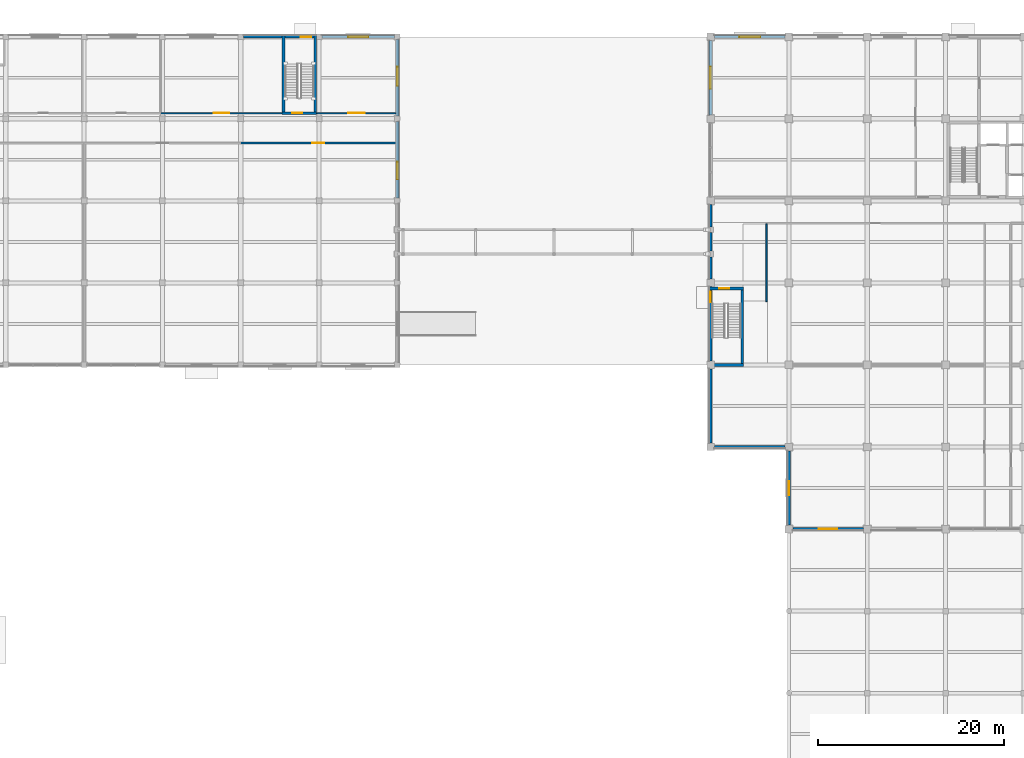
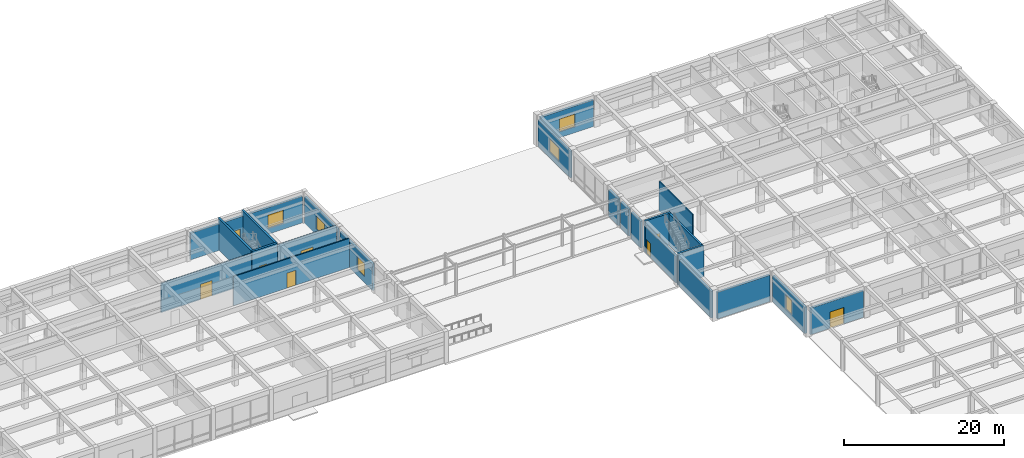
# One storey, part 37 of 58: 24 walls, 8 doors, 6 windows, 14 openings.
"""IFC4 building model written with IfcOpenShell, lengths in metres."""

from ifc_helpers import new_model, si_unit, direction, frame, frame_2d, origin, place, context, subcontext, project, spatial, rectangle, extrude, material, layer, layer_set, type_object, element, fill, save


model = new_model("IFC4")

# Units and contexts
model_context = context("Model", 3, precision=1e-05, world=origin(), true_north=direction((0.0, 1.0)))
body_context = subcontext(model_context, "Body", "Model", "MODEL_VIEW")
ifc_project = project(units=[si_unit("LENGTHUNIT", "METRE"), si_unit("AREAUNIT", "SQUARE_METRE"), si_unit("VOLUMEUNIT", "CUBIC_METRE"), si_unit("PLANEANGLEUNIT", "RADIAN"), si_unit("MASSUNIT", "GRAM", prefix="KILO")], contexts=[model_context])

# Site, building, storey
site_placement = place(None, origin())
site = spatial("IfcSite", under=ifc_project, at=site_placement, CompositionType="ELEMENT")
building_placement = place(site_placement, origin())
building = spatial("IfcBuilding", under=site, at=building_placement, Name="Kemercrest Conservatory and Botanical Centre", CompositionType="ELEMENT")
storey_placement = place(building_placement, origin())
storey = spatial("IfcBuildingStorey", under=building, at=storey_placement, Name="L00", CompositionType="ELEMENT", Elevation=0.0)

# Wall, opening, door
ifc_material_1 = material(Name="Precast concrete C40/50", Category="concrete")
ifc_layer_1 = layer(ifc_material_1, 0.300048828125)
ifc_layer_set_1 = layer_set([ifc_layer_1], Name="Precast concrete C40/50")
wall_type_1 = type_object("IfcWallType", Name="CW-EXT300", PredefinedType="SHEAR", material=ifc_layer_set_1)
wall_1_placement = place(storey_placement, frame((83.2900390625, 122.39990234375, 0.0), z_axis=(0.0, 0.0, 1.0), x_axis=(-1.0, 0.0, 0.0)))
wall_1 = element("IfcWall", 1, at=wall_1_placement, inside=storey, type_object=wall_type_1, Name="Exterior stair-core shear wall CW-EXT300 (WAL:L00:EXT-083)", PredefinedType="SHEAR", context=body_context, shape_type="SweptSolid", body=[
    extrude(rectangle(XDim=7.780029296875, YDim=0.300048828125, at=frame_2d((3.89013671875, 0.0))), origin(), (0.0, 0.0, 1.0), 4.050048828125),
])
opening_1_placement = place(wall_1_placement, frame((0.550048828125, 0.0, 0.0)))
opening_1 = element("IfcOpeningElement", 2, at=opening_1_placement, cuts=wall_1, Name="Opening ED027", PredefinedType="OPENING", context=body_context, shape_type="SweptSolid", body=[
    extrude(rectangle(XDim=1.10009765625, YDim=2.199951171875, at=frame_2d((0.550048828125, 1.10009765625))), frame((0.0, 0.16015625, 0.0), z_axis=(0.0, -1.0, 0.0), x_axis=(1.0, 0.0, 0.0)), (0.0, 0.0, 1.0), 0.320068359375),
])
ifc_material_2 = material(Name="Thermally broken bronze-anodized aluminium and laminated safety glass", Category="aluminium")
door_type_1 = type_object("IfcDoorType", Name="DT-E03", OperationType="NOTDEFINED", PredefinedType="DOOR", material=ifc_material_2)
door_1_placement = place(opening_1_placement, frame((1.10009765625, 0.0, 0.0), z_axis=(0.0, 0.0, 1.0), x_axis=(-1.0, 0.0, 0.0)))
door_1 = element("IfcDoor", 3, at=door_1_placement, inside=storey, type_object=door_type_1, Name="Exit Stair ST-V3B North Discharge Door", OperationType="SINGLE_SWING_RIGHT", OverallHeight=2.199951171875, OverallWidth=1.10009765625, PredefinedType="DOOR", context=body_context, shape_type="SweptSolid", body=[
    extrude(rectangle(XDim=1.10009765625, YDim=2.199951171875, at=frame_2d((0.550048828125, 1.10009765625))), frame((0.0, 0.02490234375, 0.0), z_axis=(0.0, -1.0, 0.0), x_axis=(1.0, 0.0, 0.0)), (0.0, 0.0, 1.0), 0.050048828125),
])
fill(opening_1, door_1)

wall_2_placement = place(storey_placement, frame((125.60009765625, 95.590087890625, 0.0), z_axis=(0.0, 0.0, 1.0), x_axis=(0.0, -1.0, 0.0)))
wall_2 = element("IfcWall", 4, at=wall_2_placement, inside=storey, type_object=wall_type_1, Name="Exterior stair-core shear wall CW-EXT300 (WAL:L00:EXT-172)", PredefinedType="SHEAR", context=body_context, shape_type="SweptSolid", body=[
    extrude(rectangle(XDim=7.97998046875, YDim=0.300048828125, at=frame_2d((3.989990234375, 0.0))), origin(), (0.0, 0.0, 1.0), 4.050048828125),
])
opening_2_placement = place(wall_2_placement, frame((0.550048828125, 0.0, 0.0)))
opening_2 = element("IfcOpeningElement", 5, at=opening_2_placement, cuts=wall_2, Name="Opening ED039", PredefinedType="OPENING", context=body_context, shape_type="SweptSolid", body=[
    extrude(rectangle(XDim=1.10009765625, YDim=2.199951171875, at=frame_2d((0.550048828125, 1.10009765625))), frame((0.0, 0.16015625, 0.0), z_axis=(0.0, -1.0, 0.0), x_axis=(1.0, 0.0, 0.0)), (0.0, 0.0, 1.0), 0.320068359375),
])
door_2_placement = place(opening_2_placement, frame((1.10009765625, 0.0, 0.0), z_axis=(0.0, 0.0, 1.0), x_axis=(-1.0, 0.0, 0.0)))
door_2 = element("IfcDoor", 6, at=door_2_placement, inside=storey, type_object=door_type_1, Name="Exit Stair ST-V4C Exterior Discharge Door", OperationType="SINGLE_SWING_RIGHT", OverallHeight=2.199951171875, OverallWidth=1.10009765625, PredefinedType="DOOR", context=body_context, shape_type="SweptSolid", body=[
    extrude(rectangle(XDim=1.10009765625, YDim=2.199951171875, at=frame_2d((0.550048828125, 1.10009765625))), frame((0.0, 0.02490234375, 0.0), z_axis=(0.0, -1.0, 0.0), x_axis=(1.0, 0.0, 0.0)), (0.0, 0.0, 1.0), 0.050048828125),
])
fill(opening_2, door_2)

# Walls
wall_3_placement = place(storey_placement, frame((125.60009765625, 86.7900390625, 0.0), z_axis=(0.0, 0.0, 1.0), x_axis=(0.0, -1.0, 0.0)))
element("IfcWall", 7, at=wall_3_placement, inside=storey, type_object=wall_type_1, Name="Exterior stair-core shear wall CW-EXT300 (WAL:L00:EXT-173)", PredefinedType="SHEAR", context=body_context, shape_type="SweptSolid", body=[
    extrude(rectangle(XDim=7.97998046875, YDim=0.300048828125, at=frame_2d((3.989990234375, 0.0))), origin(), (0.0, 0.0, 1.0), 4.050048828125),
])
wall_4_placement = place(storey_placement, frame((126.010009765625, 78.39990234375, 0.0), z_axis=(0.0, 0.0, 1.0), x_axis=(1.0, 0.0, 0.0)))
element("IfcWall", 8, at=wall_4_placement, inside=storey, type_object=wall_type_1, Name="Exterior stair-core shear wall CW-EXT300 (WAL:L00:EXT-174)", PredefinedType="SHEAR", context=body_context, shape_type="SweptSolid", body=[
    extrude(rectangle(XDim=7.580078125, YDim=0.300048828125, at=frame_2d((3.7900390625, 0.0))), origin(), (0.0, 0.0, 1.0), 4.050048828125),
])

# Wall, opening, door
ifc_material_3 = material(Name="Concrete C50/60", Category="concrete")
ifc_layer_2 = layer(ifc_material_3, 0.300048828125)
ifc_layer_set_2 = layer_set([ifc_layer_2], Name="Concrete C50/60")
wall_type_2 = type_object("IfcWallType", Name="CW-STAIR", PredefinedType="SHEAR", material=ifc_layer_set_2)
wall_5_placement = place(storey_placement, frame((79.64990234375, 114.199951171875, 0.0), z_axis=(0.0, 0.0, 1.0), x_axis=(1.0, 0.0, 0.0)))
wall_5 = element("IfcWall", 9, at=wall_5_placement, inside=storey, type_object=wall_type_2, Name="Stair core ST-V3B shear wall S", PredefinedType="SHEAR", context=body_context, shape_type="SweptSolid", body=[
    extrude(rectangle(XDim=3.7001953125, YDim=0.300048828125, at=frame_2d((1.85009765625, 0.0))), origin(), (0.0, 0.0, 1.0), 4.800048828125),
])
opening_3_placement = place(wall_5_placement, frame((1.050048828125, 0.0, 0.0)))
opening_3 = element("IfcOpeningElement", 10, at=opening_3_placement, cuts=wall_5, Name="Opening D021", PredefinedType="OPENING", context=body_context, shape_type="SweptSolid", body=[
    extrude(rectangle(XDim=1.10009765625, YDim=2.199951171875, at=frame_2d((0.550048828125, 1.10009765625))), frame((0.0, 0.16015625, 0.0), z_axis=(0.0, -1.0, 0.0), x_axis=(1.0, 0.0, 0.0)), (0.0, 0.0, 1.0), 0.320068359375),
])
ifc_material_4 = material(Name="Powder-coated galvanized steel and fire-rated vision glass", Category="steel")
door_type_2 = type_object("IfcDoorType", Name="DT-FD90", OperationType="NOTDEFINED", PredefinedType="DOOR", material=ifc_material_4)
door_3_placement = place(opening_3_placement, origin())
door_3 = element("IfcDoor", 11, at=door_3_placement, inside=storey, type_object=door_type_2, Name="Exit stair ST-V3B fire door D021", OperationType="SINGLE_SWING_LEFT", OverallHeight=2.199951171875, OverallWidth=1.10009765625, PredefinedType="DOOR", context=body_context, shape_type="SweptSolid", body=[
    extrude(rectangle(XDim=1.10009765625, YDim=2.199951171875, at=frame_2d((0.550048828125, 1.10009765625))), frame((0.0, 0.02490234375, 0.0), z_axis=(0.0, -1.0, 0.0), x_axis=(1.0, 0.0, 0.0)), (0.0, 0.0, 1.0), 0.050048828125),
])
fill(opening_3, door_3)

# Walls
for number, where, z_axis, x_axis, name in (
    (12, (79.800048828125, 114.050048828125, 0.0), (0.0, 0.0, 1.0), (0.0, 1.0, 0.0), "Stair core ST-V3B shear wall W"),
    (13, (83.199951171875, 114.050048828125, 0.0), (0.0, 0.0, 1.0), (0.0, 1.0, 0.0), "Stair core ST-V3B shear wall E"),
):
    element("IfcWall", number, at=place(storey_placement, frame(where, z_axis=z_axis, x_axis=x_axis)), inside=storey, type_object=wall_type_2, Name=name, PredefinedType="SHEAR", context=body_context, shape_type="SweptSolid", body=[
        extrude(rectangle(XDim=8.5, YDim=0.300048828125, at=frame_2d((4.25, 0.0))), origin(), (0.0, 0.0, 1.0), 4.800048828125),
    ])
wall_6_placement = place(storey_placement, frame((125.449951171875, 87.199951171875, 0.0), z_axis=(0.0, 0.0, 1.0), x_axis=(1.0, 0.0, 0.0)))
element("IfcWall", 14, at=wall_6_placement, inside=storey, type_object=wall_type_2, Name="Stair core ST-V4C shear wall S", PredefinedType="SHEAR", context=body_context, shape_type="SweptSolid", body=[
    extrude(rectangle(XDim=3.699951171875, YDim=0.300048828125, at=frame_2d((1.85009765625, 0.0))), origin(), (0.0, 0.0, 1.0), 4.800048828125),
])

# Wall, opening, door
wall_7_placement = place(storey_placement, frame((125.449951171875, 95.39990234375, 0.0), z_axis=(0.0, 0.0, 1.0), x_axis=(1.0, 0.0, 0.0)))
wall_7 = element("IfcWall", 15, at=wall_7_placement, inside=storey, type_object=wall_type_2, Name="Stair core ST-V4C shear wall N", PredefinedType="SHEAR", context=body_context, shape_type="SweptSolid", body=[
    extrude(rectangle(XDim=3.699951171875, YDim=0.300048828125, at=frame_2d((1.85009765625, 0.0))), origin(), (0.0, 0.0, 1.0), 4.800048828125),
])
opening_4_placement = place(wall_7_placement, frame((1.050048828125, 0.0, 0.0)))
opening_4 = element("IfcOpeningElement", 16, at=opening_4_placement, cuts=wall_7, Name="Opening D064", PredefinedType="OPENING", context=body_context, shape_type="SweptSolid", body=[
    extrude(rectangle(XDim=1.10009765625, YDim=2.199951171875, at=frame_2d((0.550048828125, 1.10009765625))), frame((0.0, 0.16015625, 0.0), z_axis=(0.0, -1.0, 0.0), x_axis=(1.0, 0.0, 0.0)), (0.0, 0.0, 1.0), 0.320068359375),
])
door_4_placement = place(opening_4_placement, origin())
door_4 = element("IfcDoor", 17, at=door_4_placement, inside=storey, type_object=door_type_2, Name="Exit stair ST-V4C fire door D064", OperationType="SINGLE_SWING_RIGHT", OverallHeight=2.199951171875, OverallWidth=1.10009765625, PredefinedType="DOOR", context=body_context, shape_type="SweptSolid", body=[
    extrude(rectangle(XDim=1.10009765625, YDim=2.199951171875, at=frame_2d((0.550048828125, 1.10009765625))), frame((0.0, 0.02490234375, 0.0), z_axis=(0.0, -1.0, 0.0), x_axis=(1.0, 0.0, 0.0)), (0.0, 0.0, 1.0), 0.050048828125),
])
fill(opening_4, door_4)

# Wall
wall_8_placement = place(storey_placement, frame((129.0, 87.050048828125, 0.0), z_axis=(0.0, 0.0, 1.0), x_axis=(0.0, 1.0, 0.0)))
element("IfcWall", 18, at=wall_8_placement, inside=storey, type_object=wall_type_2, Name="Stair core ST-V4C shear wall E", PredefinedType="SHEAR", context=body_context, shape_type="SweptSolid", body=[
    extrude(rectangle(XDim=8.5, YDim=0.300048828125, at=frame_2d((4.25, 0.0))), origin(), (0.0, 0.0, 1.0), 4.800048828125),
])

# Wall, opening, window
ifc_layer_3 = layer(ifc_material_1, 0.300048828125)
ifc_layer_set_3 = layer_set([ifc_layer_3], Name="Precast concrete C40/50")
wall_type_3 = type_object("IfcWallType", Name="W-EXT300", PredefinedType="SOLIDWALL", material=ifc_layer_set_3)
wall_9_placement = place(storey_placement, frame((92.0, 105.110107421875, 0.0), z_axis=(0.0, 0.0, 1.0), x_axis=(0.0, 1.0, 0.0)))
wall_9 = element("IfcWall", 19, at=wall_9_placement, inside=storey, type_object=wall_type_3, Name="Exterior almasik wall W-EXT300 (WAL:L00:EXT-080)", PredefinedType="SOLIDWALL", context=body_context, shape_type="SweptSolid", body=[
    extrude(rectangle(XDim=8.179931640625, YDim=0.300048828125, at=frame_2d((4.08984375, 0.0))), origin(), (0.0, 0.0, 1.0), 4.050048828125),
])
opening_5_placement = place(wall_9_placement, frame((2.0048828125, 0.0, 0.89990234375)))
opening_5 = element("IfcOpeningElement", 20, at=opening_5_placement, cuts=wall_9, Name="Opening WT-33", PredefinedType="OPENING", context=body_context, shape_type="SweptSolid", body=[
    extrude(rectangle(XDim=1.8798828125, YDim=1.9599609375, at=frame_2d((0.93994140625, 0.97998046875))), frame((0.0, 0.16015625, 0.0), z_axis=(0.0, -1.0, 0.0), x_axis=(1.0, 0.0, 0.0)), (0.0, 0.0, 1.0), 0.320068359375),
])
ifc_material_5 = material(Name="Thermally broken bronze-anodized aluminium and triple glazing", Category="aluminium")
window_type_1 = type_object("IfcWindowType", Name="WT-33", PartitioningType="SINGLE_PANEL", PredefinedType="WINDOW", material=ifc_material_5)
window_1_placement = place(opening_5_placement, origin())
window_1 = element("IfcWindow", 21, at=window_1_placement, inside=storey, type_object=window_type_1, Name="Exterior window WT-33 (WIN:L00:EXT-080)", OverallHeight=1.9599609375, OverallWidth=1.8798828125, PartitioningType="SINGLE_PANEL", PredefinedType="WINDOW", context=body_context, shape_type="SweptSolid", body=[
    extrude(rectangle(XDim=1.8798828125, YDim=1.9599609375, at=frame_2d((0.93994140625, 0.97998046875))), frame((0.0, 0.030029296875, 0.0), z_axis=(0.0, -1.0, 0.0), x_axis=(1.0, 0.0, 0.0)), (0.0, 0.0, 1.0), 0.06005859375),
])
fill(opening_5, window_1)

wall_10_placement = place(storey_placement, frame((92.0, 113.909912109375, 0.0), z_axis=(0.0, 0.0, 1.0), x_axis=(0.0, 1.0, 0.0)))
wall_10 = element("IfcWall", 22, at=wall_10_placement, inside=storey, type_object=wall_type_3, Name="Exterior almasik wall W-EXT300 (WAL:L00:EXT-081)", PredefinedType="SOLIDWALL", context=body_context, shape_type="SweptSolid", body=[
    extrude(rectangle(XDim=8.18017578125, YDim=0.300048828125, at=frame_2d((4.090087890625, 0.0))), origin(), (0.0, 0.0, 1.0), 4.050048828125),
])
opening_6_placement = place(wall_10_placement, frame((3.215087890625, 0.0, 0.89990234375)))
opening_6 = element("IfcOpeningElement", 23, at=opening_6_placement, cuts=wall_10, Name="Opening WT-34", PredefinedType="OPENING", context=body_context, shape_type="SweptSolid", body=[
    extrude(rectangle(XDim=2.0400390625, YDim=1.97998046875, at=frame_2d((1.02001953125, 0.989990234375))), frame((0.0, 0.16015625, 0.0), z_axis=(0.0, -1.0, 0.0), x_axis=(1.0, 0.0, 0.0)), (0.0, 0.0, 1.0), 0.320068359375),
])
window_type_2 = type_object("IfcWindowType", Name="WT-34", PartitioningType="SINGLE_PANEL", PredefinedType="WINDOW", material=ifc_material_5)
window_2_placement = place(opening_6_placement, origin())
window_2 = element("IfcWindow", 24, at=window_2_placement, inside=storey, type_object=window_type_2, Name="Exterior window WT-34 (WIN:L00:EXT-081)", OverallHeight=1.97998046875, OverallWidth=2.0400390625, PartitioningType="SINGLE_PANEL", PredefinedType="WINDOW", context=body_context, shape_type="SweptSolid", body=[
    extrude(rectangle(XDim=2.0400390625, YDim=1.97998046875, at=frame_2d((1.02001953125, 0.989990234375))), frame((0.0, 0.030029296875, 0.0), z_axis=(0.0, -1.0, 0.0), x_axis=(1.0, 0.0, 0.0)), (0.0, 0.0, 1.0), 0.06005859375),
])
fill(opening_6, window_2)

wall_11_placement = place(storey_placement, frame((91.68994140625, 122.39990234375, 0.0), z_axis=(0.0, 0.0, 1.0), x_axis=(-1.0, 0.0, 0.0)))
wall_11 = element("IfcWall", 25, at=wall_11_placement, inside=storey, type_object=wall_type_3, Name="Exterior almasik wall W-EXT300 (WAL:L00:EXT-082)", PredefinedType="SOLIDWALL", context=body_context, shape_type="SweptSolid", body=[
    extrude(rectangle(XDim=7.780029296875, YDim=0.300048828125, at=frame_2d((3.89013671875, 0.0))), origin(), (0.0, 0.0, 1.0), 4.050048828125),
])
opening_7_placement = place(wall_11_placement, frame((2.800048828125, 0.0, 0.89990234375)))
opening_7 = element("IfcOpeningElement", 26, at=opening_7_placement, cuts=wall_11, Name="Opening WT-35", PredefinedType="OPENING", context=body_context, shape_type="SweptSolid", body=[
    extrude(rectangle(XDim=2.179931640625, YDim=2.02001953125, at=frame_2d((1.08984375, 1.010009765625))), frame((0.0, 0.16015625, 0.0), z_axis=(0.0, -1.0, 0.0), x_axis=(1.0, 0.0, 0.0)), (0.0, 0.0, 1.0), 0.320068359375),
])
window_type_3 = type_object("IfcWindowType", Name="WT-35", PartitioningType="SINGLE_PANEL", PredefinedType="WINDOW", material=ifc_material_5)
window_3_placement = place(opening_7_placement, origin())
window_3 = element("IfcWindow", 27, at=window_3_placement, inside=storey, type_object=window_type_3, Name="Exterior window WT-35 (WIN:L00:EXT-082)", OverallHeight=2.02001953125, OverallWidth=2.179931640625, PartitioningType="SINGLE_PANEL", PredefinedType="WINDOW", context=body_context, shape_type="SweptSolid", body=[
    extrude(rectangle(XDim=2.179931640625, YDim=2.02001953125, at=frame_2d((1.08984375, 1.010009765625))), frame((0.0, 0.030029296875, 0.0), z_axis=(0.0, -1.0, 0.0), x_axis=(1.0, 0.0, 0.0)), (0.0, 0.0, 1.0), 0.06005859375),
])
fill(opening_7, window_3)

# Wall, opening, door
wall_12_placement = place(storey_placement, frame((134.409912109375, 69.60009765625, 0.0), z_axis=(0.0, 0.0, 1.0), x_axis=(1.0, 0.0, 0.0)))
wall_12 = element("IfcWall", 28, at=wall_12_placement, inside=storey, type_object=wall_type_3, Name="Exterior almasik wall W-EXT300 (WAL:L00:EXT-158)", PredefinedType="SOLIDWALL", context=body_context, shape_type="SweptSolid", body=[
    extrude(rectangle(XDim=7.580078125, YDim=0.300048828125, at=frame_2d((3.7900390625, 0.0))), origin(), (0.0, 0.0, 1.0), 4.050048828125),
])
opening_8_placement = place(wall_12_placement, frame((2.7900390625, 0.0, 0.0)))
opening_8 = element("IfcOpeningElement", 29, at=opening_8_placement, cuts=wall_12, Name="Opening ED033", PredefinedType="OPENING", context=body_context, shape_type="SweptSolid", body=[
    extrude(rectangle(XDim=2.0, YDim=2.5, at=frame_2d((1.0, 1.25))), frame((0.0, 0.16015625, 0.0), z_axis=(0.0, -1.0, 0.0), x_axis=(1.0, 0.0, 0.0)), (0.0, 0.0, 1.0), 0.320068359375),
])
door_type_3 = type_object("IfcDoorType", Name="DT-E01", OperationType="DOUBLE_DOOR_SINGLE_SWING", PredefinedType="DOOR", material=ifc_material_2)
door_5_placement = place(opening_8_placement, frame((2.0, 0.0, 0.0), z_axis=(0.0, 0.0, 1.0), x_axis=(-1.0, 0.0, 0.0)))
door_5 = element("IfcDoor", 30, at=door_5_placement, inside=storey, type_object=door_type_3, Name="Research and Herbarium Tower South Harbour Entrance", OperationType="DOUBLE_DOOR_SINGLE_SWING", OverallHeight=2.5, OverallWidth=2.0, PredefinedType="DOOR", context=body_context, shape_type="SweptSolid", body=[
    extrude(rectangle(XDim=2.0, YDim=2.5, at=frame_2d((1.0, 1.25))), frame((0.0, 0.02490234375, 0.0), z_axis=(0.0, -1.0, 0.0), x_axis=(1.0, 0.0, 0.0)), (0.0, 0.0, 1.0), 0.050048828125),
])
fill(opening_8, door_5)

# Wall, opening, window
wall_13_placement = place(storey_placement, frame((133.590087890625, 122.39990234375, 0.0), z_axis=(0.0, 0.0, 1.0), x_axis=(-1.0, 0.0, 0.0)))
wall_13 = element("IfcWall", 31, at=wall_13_placement, inside=storey, type_object=wall_type_3, Name="Exterior almasik wall W-EXT300 (WAL:L00:EXT-169)", PredefinedType="SOLIDWALL", context=body_context, shape_type="SweptSolid", body=[
    extrude(rectangle(XDim=7.580078125, YDim=0.300048828125, at=frame_2d((3.7900390625, 0.0))), origin(), (0.0, 0.0, 1.0), 4.050048828125),
])
opening_9_placement = place(wall_13_placement, frame((2.6650390625, 0.0, 0.89990234375)))
opening_9 = element("IfcOpeningElement", 32, at=opening_9_placement, cuts=wall_13, Name="Opening WT-08", PredefinedType="OPENING", context=body_context, shape_type="SweptSolid", body=[
    extrude(rectangle(XDim=2.25, YDim=1.949951171875, at=frame_2d((1.125, 0.97509765625))), frame((0.0, 0.16015625, 0.0), z_axis=(0.0, -1.0, 0.0), x_axis=(1.0, 0.0, 0.0)), (0.0, 0.0, 1.0), 0.320068359375),
])
window_type_4 = type_object("IfcWindowType", Name="WT-08", PartitioningType="SINGLE_PANEL", PredefinedType="WINDOW", material=ifc_material_5)
window_4_placement = place(opening_9_placement, origin())
window_4 = element("IfcWindow", 33, at=window_4_placement, inside=storey, type_object=window_type_4, Name="Exterior window WT-08 (WIN:L00:EXT-169)", OverallHeight=1.949951171875, OverallWidth=2.25, PartitioningType="SINGLE_PANEL", PredefinedType="WINDOW", context=body_context, shape_type="SweptSolid", body=[
    extrude(rectangle(XDim=2.25, YDim=1.949951171875, at=frame_2d((1.125, 0.97509765625))), frame((0.0, 0.030029296875, 0.0), z_axis=(0.0, -1.0, 0.0), x_axis=(1.0, 0.0, 0.0)), (0.0, 0.0, 1.0), 0.06005859375),
])
fill(opening_9, window_4)

wall_14_placement = place(storey_placement, frame((125.60009765625, 121.989990234375, 0.0), z_axis=(0.0, 0.0, 1.0), x_axis=(0.0, -1.0, 0.0)))
wall_14 = element("IfcWall", 34, at=wall_14_placement, inside=storey, type_object=wall_type_3, Name="Exterior almasik wall W-EXT300 (WAL:L00:EXT-170)", PredefinedType="SOLIDWALL", context=body_context, shape_type="SweptSolid", body=[
    extrude(rectangle(XDim=7.97998046875, YDim=0.300048828125, at=frame_2d((3.989990234375, 0.0))), origin(), (0.0, 0.0, 1.0), 4.050048828125),
])
opening_10_placement = place(wall_14_placement, frame((2.7900390625, 0.0, 0.89990234375)))
opening_10 = element("IfcOpeningElement", 35, at=opening_10_placement, cuts=wall_14, Name="Opening WT-09", PredefinedType="OPENING", context=body_context, shape_type="SweptSolid", body=[
    extrude(rectangle(XDim=2.39990234375, YDim=2.0, at=frame_2d((1.199951171875, 1.0))), frame((0.0, 0.16015625, 0.0), z_axis=(0.0, -1.0, 0.0), x_axis=(1.0, 0.0, 0.0)), (0.0, 0.0, 1.0), 0.320068359375),
])
window_type_5 = type_object("IfcWindowType", Name="WT-09", PartitioningType="SINGLE_PANEL", PredefinedType="WINDOW", material=ifc_material_5)
window_5_placement = place(opening_10_placement, origin())
window_5 = element("IfcWindow", 36, at=window_5_placement, inside=storey, type_object=window_type_5, Name="Exterior window WT-09 (WIN:L00:EXT-170)", OverallHeight=2.0, OverallWidth=2.39990234375, PartitioningType="SINGLE_PANEL", PredefinedType="WINDOW", context=body_context, shape_type="SweptSolid", body=[
    extrude(rectangle(XDim=2.39990234375, YDim=2.0, at=frame_2d((1.199951171875, 1.0))), frame((0.0, 0.030029296875, 0.0), z_axis=(0.0, -1.0, 0.0), x_axis=(1.0, 0.0, 0.0)), (0.0, 0.0, 1.0), 0.06005859375),
])
fill(opening_10, window_5)

# Walls
wall_15_placement = place(storey_placement, frame((125.60009765625, 104.389892578125, 0.0), z_axis=(0.0, 0.0, 1.0), x_axis=(0.0, -1.0, 0.0)))
element("IfcWall", 37, at=wall_15_placement, inside=storey, type_object=wall_type_3, Name="Exterior almasik wall W-EXT300 (WAL:L00:EXT-171-S1)", PredefinedType="SOLIDWALL", context=body_context, shape_type="SweptSolid", body=[
    extrude(rectangle(XDim=2.3798828125, YDim=0.300048828125, at=frame_2d((1.18994140625, 0.0))), origin(), (0.0, 0.0, 1.0), 4.050048828125),
])
wall_16_placement = place(storey_placement, frame((125.60009765625, 101.389892578125, 0.0), z_axis=(0.0, 0.0, 1.0), x_axis=(0.0, -1.0, 0.0)))
element("IfcWall", 38, at=wall_16_placement, inside=storey, type_object=wall_type_3, Name="Exterior almasik wall W-EXT300 (WAL:L00:EXT-171-S2)", PredefinedType="SOLIDWALL", context=body_context, shape_type="SweptSolid", body=[
    extrude(rectangle(XDim=1.97998046875, YDim=0.300048828125, at=frame_2d((0.989990234375, 0.0))), origin(), (0.0, 0.0, 1.0), 4.050048828125),
])
wall_17_placement = place(storey_placement, frame((125.60009765625, 98.7900390625, 0.0), z_axis=(0.0, 0.0, 1.0), x_axis=(0.0, -1.0, 0.0)))
element("IfcWall", 39, at=wall_17_placement, inside=storey, type_object=wall_type_3, Name="Exterior almasik wall W-EXT300 (WAL:L00:EXT-171-S3)", PredefinedType="SOLIDWALL", context=body_context, shape_type="SweptSolid", body=[
    extrude(rectangle(XDim=2.380126953125, YDim=0.300048828125, at=frame_2d((1.18994140625, 0.0))), origin(), (0.0, 0.0, 1.0), 4.050048828125),
])

# Wall, opening, window
wall_18_placement = place(storey_placement, frame((134.0, 77.989990234375, 0.0), z_axis=(0.0, 0.0, 1.0), x_axis=(0.0, -1.0, 0.0)))
wall_18 = element("IfcWall", 40, at=wall_18_placement, inside=storey, type_object=wall_type_3, Name="Exterior almasik wall W-EXT300 (WAL:L00:EXT-175)", PredefinedType="SOLIDWALL", context=body_context, shape_type="SweptSolid", body=[
    extrude(rectangle(XDim=7.97998046875, YDim=0.300048828125, at=frame_2d((3.989990234375, 0.0))), origin(), (0.0, 0.0, 1.0), 4.050048828125),
])
opening_11_placement = place(wall_18_placement, frame((3.239990234375, 0.0, 0.89990234375)))
opening_11 = element("IfcOpeningElement", 41, at=opening_11_placement, cuts=wall_18, Name="Opening WT-14", PredefinedType="OPENING", context=body_context, shape_type="SweptSolid", body=[
    extrude(rectangle(XDim=1.5, YDim=2.199951171875, at=frame_2d((0.75, 1.10009765625))), frame((0.0, 0.16015625, 0.0), z_axis=(0.0, -1.0, 0.0), x_axis=(1.0, 0.0, 0.0)), (0.0, 0.0, 1.0), 0.320068359375),
])
window_type_6 = type_object("IfcWindowType", Name="WT-14", PartitioningType="SINGLE_PANEL", PredefinedType="WINDOW", material=ifc_material_5)
window_6_placement = place(opening_11_placement, origin())
window_6 = element("IfcWindow", 42, at=window_6_placement, inside=storey, type_object=window_type_6, Name="Exterior window WT-14 (WIN:L00:EXT-175)", OverallHeight=2.199951171875, OverallWidth=1.5, PartitioningType="SINGLE_PANEL", PredefinedType="WINDOW", context=body_context, shape_type="SweptSolid", body=[
    extrude(rectangle(XDim=1.5, YDim=2.199951171875, at=frame_2d((0.75, 1.10009765625))), frame((0.0, 0.030029296875, 0.0), z_axis=(0.0, -1.0, 0.0), x_axis=(1.0, 0.0, 0.0)), (0.0, 0.0, 1.0), 0.06005859375),
])
fill(opening_11, window_6)

# Wall, opening, door
ifc_material_6 = material(Name="Steel-stud gypsum board partition", Category="steel")
ifc_layer_4 = layer(ifc_material_6, 0.14990234375)
ifc_layer_set_4 = layer_set([ifc_layer_4], Name="Steel-stud gypsum board partition")
wall_type_4 = type_object("IfcWallType", Name="W-PART150", PredefinedType="PARTITIONING", material=ifc_layer_set_4)
wall_19_placement = place(storey_placement, frame((66.60009765625, 114.199951171875, 0.0), z_axis=(0.0, 0.0, 1.0), x_axis=(1.0, 0.0, 0.0)))
wall_19 = element("IfcWall", 43, at=wall_19_placement, inside=storey, type_object=wall_type_4, Name="Interior partition W-PART150 #34", PredefinedType="PARTITIONING", context=body_context, shape_type="SweptSolid", body=[
    extrude(rectangle(XDim=13.044921875, YDim=0.14990234375, at=frame_2d((6.5224609375, 0.0))), origin(), (0.0, 0.0, 1.0), 4.465087890625),
])
opening_12_placement = place(wall_19_placement, frame((5.6923828125, 0.0, 0.0)))
opening_12 = element("IfcOpeningElement", 44, at=opening_12_placement, cuts=wall_19, Name="Opening D129", PredefinedType="OPENING", context=body_context, shape_type="SweptSolid", body=[
    extrude(rectangle(XDim=1.659912109375, YDim=2.340087890625, at=frame_2d((0.830078125, 1.169921875))), frame((0.0, 0.0849609375, 0.0), z_axis=(0.0, -1.0, 0.0), x_axis=(1.0, 0.0, 0.0)), (0.0, 0.0, 1.0), 0.169921875),
])
ifc_material_7 = material(Name="FSC solid-core white oak veneer and anodized aluminium frame", Category="aluminium")
door_type_4 = type_object("IfcDoorType", Name="DT-42", OperationType="DOUBLE_DOOR_SINGLE_SWING", PredefinedType="DOOR", material=ifc_material_7)
door_6_placement = place(opening_12_placement, origin())
door_6 = element("IfcDoor", 45, at=door_6_placement, inside=storey, type_object=door_type_4, Name="Botanical Education Resource Room door D129", OperationType="DOUBLE_DOOR_SINGLE_SWING", OverallHeight=2.340087890625, OverallWidth=1.659912109375, PredefinedType="DOOR", context=body_context, shape_type="SweptSolid", body=[
    extrude(rectangle(XDim=1.659912109375, YDim=2.340087890625, at=frame_2d((0.830078125, 1.169921875))), frame((0.0, 0.02490234375, 0.0), z_axis=(0.0, -1.0, 0.0), x_axis=(1.0, 0.0, 0.0)), (0.0, 0.0, 1.0), 0.050048828125),
])
fill(opening_12, door_6)

wall_20_placement = place(storey_placement, frame((83.35498046875, 114.199951171875, 0.0), z_axis=(0.0, 0.0, 1.0), x_axis=(1.0, 0.0, 0.0)))
wall_20 = element("IfcWall", 46, at=wall_20_placement, inside=storey, type_object=wall_type_4, Name="Interior partition W-PART150 #35", PredefinedType="PARTITIONING", context=body_context, shape_type="SweptSolid", body=[
    extrude(rectangle(XDim=8.489990234375, YDim=0.14990234375, at=frame_2d((4.2451171875, 0.0))), origin(), (0.0, 0.0, 1.0), 4.465087890625),
])
opening_13_placement = place(wall_20_placement, frame((3.364990234375, 0.0, 0.0)))
opening_13 = element("IfcOpeningElement", 47, at=opening_13_placement, cuts=wall_20, Name="Opening D130", PredefinedType="OPENING", context=body_context, shape_type="SweptSolid", body=[
    extrude(rectangle(XDim=1.760009765625, YDim=2.360107421875, at=frame_2d((0.8798828125, 1.18017578125))), frame((0.0, 0.0849609375, 0.0), z_axis=(0.0, -1.0, 0.0), x_axis=(1.0, 0.0, 0.0)), (0.0, 0.0, 1.0), 0.169921875),
])
door_type_5 = type_object("IfcDoorType", Name="DT-43", OperationType="DOUBLE_DOOR_SINGLE_SWING", PredefinedType="DOOR", material=ifc_material_7)
door_7_placement = place(opening_13_placement, origin())
door_7 = element("IfcDoor", 48, at=door_7_placement, inside=storey, type_object=door_type_5, Name="Curatorial Receiving Office door D130", OperationType="DOUBLE_DOOR_SINGLE_SWING", OverallHeight=2.360107421875, OverallWidth=1.760009765625, PredefinedType="DOOR", context=body_context, shape_type="SweptSolid", body=[
    extrude(rectangle(XDim=1.760009765625, YDim=2.360107421875, at=frame_2d((0.8798828125, 1.18017578125))), frame((0.0, 0.02490234375, 0.0), z_axis=(0.0, -1.0, 0.0), x_axis=(1.0, 0.0, 0.0)), (0.0, 0.0, 1.0), 0.050048828125),
])
fill(opening_13, door_7)

# Wall
wall_21_placement = place(storey_placement, frame((131.60009765625, 94.0, 0.0), z_axis=(0.0, 0.0, 1.0), x_axis=(0.0, 1.0, 0.0)))
element("IfcWall", 49, at=wall_21_placement, inside=storey, type_object=wall_type_4, Name="Interior partition W-PART150 #42", PredefinedType="PARTITIONING", context=body_context, shape_type="SweptSolid", body=[
    extrude(rectangle(XDim=8.320068359375, YDim=0.14990234375, at=frame_2d((4.16015625, 0.0))), origin(), (0.0, 0.0, 1.0), 4.465087890625),
])

# Wall, opening, door
ifc_material_8 = material(Name="Acoustic steel-stud gypsum board assembly", Category="steel")
ifc_layer_5 = layer(ifc_material_8, 0.179931640625)
ifc_layer_set_5 = layer_set([ifc_layer_5], Name="Acoustic steel-stud gypsum board assembly")
wall_type_5 = type_object("IfcWallType", Name="W-PART180", PredefinedType="PARTITIONING", material=ifc_layer_set_5)
wall_22_placement = place(storey_placement, frame((75.199951171875, 111.0, 0.0), z_axis=(0.0, 0.0, 1.0), x_axis=(1.0, 0.0, 0.0)))
wall_22 = element("IfcWall", 50, at=wall_22_placement, inside=storey, type_object=wall_type_5, Name="Interior partition W-PART180 #30", PredefinedType="PARTITIONING", context=body_context, shape_type="SweptSolid", body=[
    extrude(rectangle(XDim=16.64501953125, YDim=0.179931640625, at=frame_2d((8.322509765625, 0.0))), origin(), (0.0, 0.0, 1.0), 4.465087890625),
])
opening_14_placement = place(wall_22_placement, frame((7.6923828125, 0.0, 0.0)))
opening_14 = element("IfcOpeningElement", 51, at=opening_14_placement, cuts=wall_22, Name="Opening D125", PredefinedType="OPENING", context=body_context, shape_type="SweptSolid", body=[
    extrude(rectangle(XDim=1.260009765625, YDim=2.280029296875, at=frame_2d((0.6298828125, 1.14013671875))), frame((0.0, 0.10009765625, 0.0), z_axis=(0.0, -1.0, 0.0), x_axis=(1.0, 0.0, 0.0)), (0.0, 0.0, 1.0), 0.199951171875),
])
door_type_6 = type_object("IfcDoorType", Name="DT-38", OperationType="NOTDEFINED", PredefinedType="DOOR", material=ifc_material_7)
door_8_placement = place(opening_14_placement, origin())
door_8 = element("IfcDoor", 52, at=door_8_placement, inside=storey, type_object=door_type_6, Name="Specimen Preparation Laboratory door D125", OperationType="SINGLE_SWING_LEFT", OverallHeight=2.280029296875, OverallWidth=1.260009765625, PredefinedType="DOOR", context=body_context, shape_type="SweptSolid", body=[
    extrude(rectangle(XDim=1.260009765625, YDim=2.280029296875, at=frame_2d((0.6298828125, 1.14013671875))), frame((0.0, 0.02490234375, 0.0), z_axis=(0.0, -1.0, 0.0), x_axis=(1.0, 0.0, 0.0)), (0.0, 0.0, 1.0), 0.050048828125),
])
fill(opening_14, door_8)

save(model, "model.ifc")
